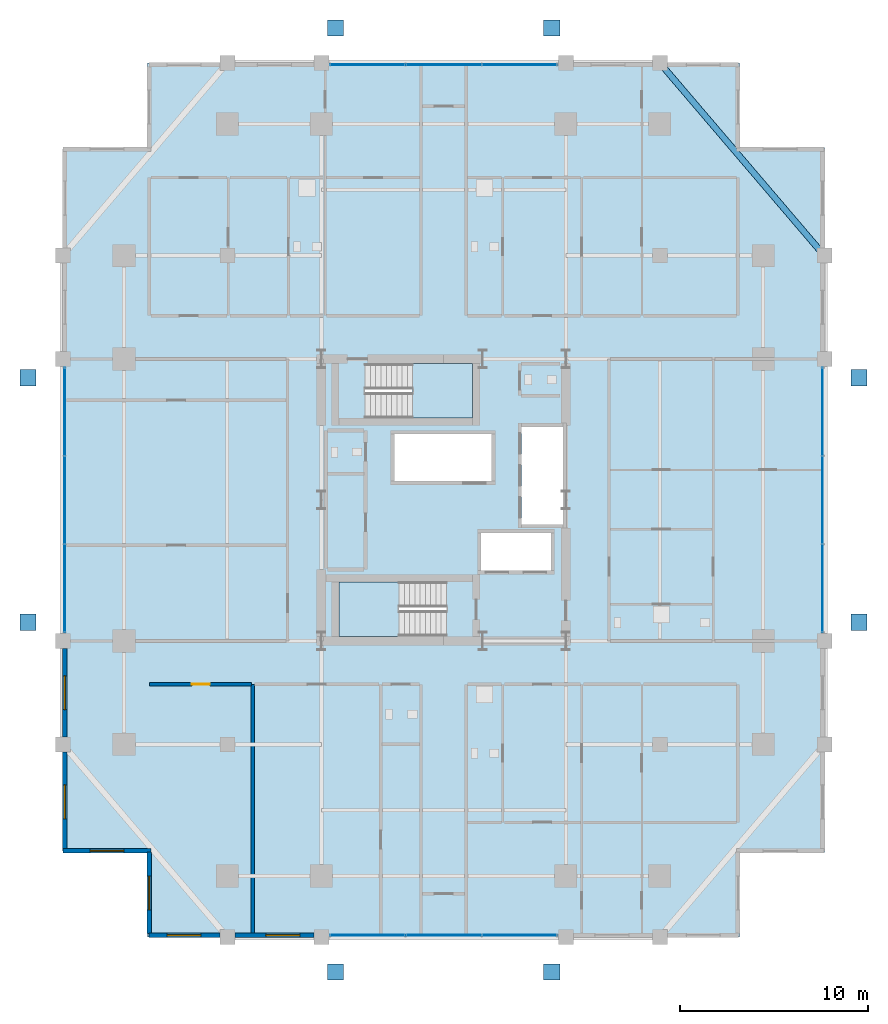
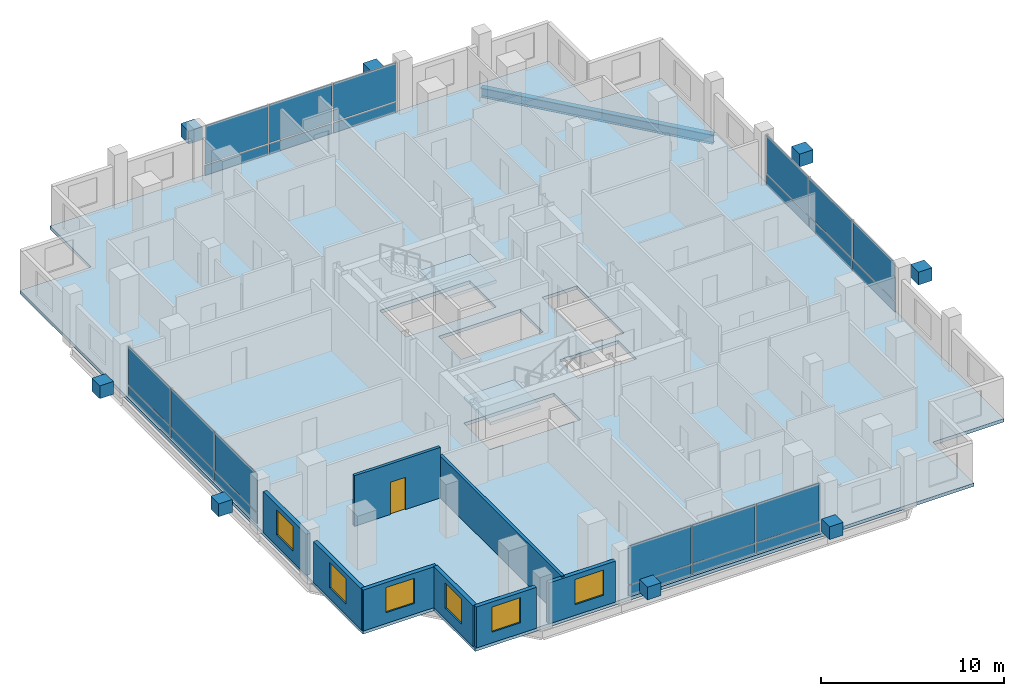
# One storey, part 13 of 20: 32 plates, 8 walls, 6 windows, 3 slabs, 1 beam, 1 door, 7 openings, 6 elements without a shape of their own.
"""IFC4 building model written with IfcOpenShell, lengths in metres."""

from ifc_helpers import new_model, si_unit, direction, frame, frame_2d, origin, origin_2d, place, context, subcontext, project, spatial, polyline, rectangle, i_section, outline, extrude, material, layer, layer_set, material_profile, profile_set, type_object, element, fill, aggregate, save


model = new_model("IFC4")

# Units and contexts
model_context = context("Model", 3, precision=1e-05, world=origin(), true_north=direction((0.0, 1.0)))
body_context = subcontext(model_context, "Body", "Model", "MODEL_VIEW")
ifc_project = project(units=[si_unit("LENGTHUNIT", "METRE"), si_unit("AREAUNIT", "SQUARE_METRE"), si_unit("VOLUMEUNIT", "CUBIC_METRE"), si_unit("PLANEANGLEUNIT", "RADIAN"), si_unit("MASSUNIT", "GRAM", prefix="KILO")], contexts=[model_context])

# Site, building, storey
site_placement = place(None, origin())
site = spatial("IfcSite", under=ifc_project, at=site_placement, CompositionType="ELEMENT")
building_placement = place(site_placement, origin())
building = spatial("IfcBuilding", under=site, at=building_placement, Name="Barlavira Tower and Art Museum", CompositionType="ELEMENT")
storey_placement = place(building_placement, frame((0.0, 0.0, 147.60009765625)))
storey = spatial("IfcBuildingStorey", under=building, at=storey_placement, Name="L37", CompositionType="ELEMENT", Elevation=147.60009765625)

# Beam
ifc_material_1 = material(Name="Steel S355", Category="steel")
ifc_material_profile = material_profile(ifc_material_1, i_section(OverallWidth=0.327880859375, OverallDepth=0.62890625, WebThickness=0.013916015625, FlangeThickness=0.021484375, at=origin_2d()), Name="W610x174.0")
ifc_profile_set = profile_set([ifc_material_profile], Name="Steel S355")
beam_type = type_object("IfcBeamType", Name="Perimeter Spandrel Edge Beam W610x174 Steel S355", PredefinedType="SPANDREL", material=ifc_profile_set)
beam_placement = place(storey_placement, frame((20.25, 13.0, -0.53466796875), z_axis=(-0.649262379928, 0.760564502202, 0.0), x_axis=(-0.760564502202, -0.649262379928, 0.0)))
element("IfcBeam", 1, at=beam_placement, inside=storey, type_object=beam_type, Name="L37 Spandrel 8", PredefinedType="SPANDREL", context=body_context, shape_type="SweptSolid", body=[
    extrude(i_section(OverallWidth=0.327880859375, OverallDepth=0.62890625, WebThickness=0.013916015625, FlangeThickness=0.021484375, at=origin_2d()), origin(), (0.0, 0.0, 1.0), 13.476806640625),
])

# Curtain wall, plates
ifc_material_2 = material(Name="Low-iron coastal laminated glass", Category="glass")
ifc_layer_1 = layer(ifc_material_2, 0.18994140625, Name="Low-iron coastal laminated glass")
ifc_layer_set_1 = layer_set([ifc_layer_1], Name="Low-iron coastal laminated glass")
curtain_wall_type = type_object("IfcCurtainWallType", Name="Pale-Metal Unitised Curtain Wall Zone 2", PredefinedType="NOTDEFINED", material=ifc_layer_set_1)
curtain_wall_1_placement = place(storey_placement, origin())
curtain_wall_1 = element("IfcCurtainWall", 2, at=curtain_wall_1_placement, inside=storey, type_object=curtain_wall_type, Name="L37 Curtain Wall CW2-L37-S-B3", PredefinedType="NOTDEFINED")
ifc_material_3 = material(Name="Pale anodised aluminium", Category="aluminium")
ifc_layer_2 = layer(ifc_material_3, 0.044921875, Name="Pale anodised aluminium")
ifc_layer_set_2 = layer_set([ifc_layer_2], Name="Pale anodised aluminium")
plate_type_1 = type_object("IfcPlateType", Name="Curtain Wall Pale-Metal Spandrel Panel 45", PredefinedType="CURTAIN_PANEL", material=ifc_layer_set_2)
plate_1_placement = place(storey_placement, frame((-4.05322265625, -23.14990234375, 0.039794921875), z_axis=(0.0, 0.0, 1.0), x_axis=(1.0, 0.0, 0.0)))
plate_1 = element("IfcPlate", 3, at=plate_1_placement, type_object=plate_type_1, Name="CW2-L37-S-B3 Spandrel Panel 0", PredefinedType="CURTAIN_PANEL", context=body_context, shape_type="SweptSolid", body=[
    extrude(rectangle(XDim=3.953369140625, YDim=0.044921875, at=origin_2d()), origin(), (0.0, 0.0, 1.0), 0.6640625),
])
plate_2_placement = place(storey_placement, frame((0.0, -23.14990234375, 0.039794921875), z_axis=(0.0, 0.0, 1.0), x_axis=(1.0, 0.0, 0.0)))
plate_2 = element("IfcPlate", 4, at=plate_2_placement, type_object=plate_type_1, Name="CW2-L37-S-B3 Spandrel Panel 1", PredefinedType="CURTAIN_PANEL", context=body_context, shape_type="SweptSolid", body=[
    extrude(rectangle(XDim=3.953369140625, YDim=0.044921875, at=origin_2d()), origin(), (0.0, 0.0, 1.0), 0.6640625),
])
plate_3_placement = place(storey_placement, frame((4.05322265625, -23.14990234375, 0.039794921875), z_axis=(0.0, 0.0, 1.0), x_axis=(1.0, 0.0, 0.0)))
plate_3 = element("IfcPlate", 5, at=plate_3_placement, type_object=plate_type_1, Name="CW2-L37-S-B3 Spandrel Panel 2", PredefinedType="CURTAIN_PANEL", context=body_context, shape_type="SweptSolid", body=[
    extrude(rectangle(XDim=3.953369140625, YDim=0.044921875, at=origin_2d()), origin(), (0.0, 0.0, 1.0), 0.6640625),
])

curtain_wall_2_placement = place(storey_placement, origin())
curtain_wall_2 = element("IfcCurtainWall", 6, at=curtain_wall_2_placement, inside=storey, type_object=curtain_wall_type, Name="L37 Curtain Wall CW2-L37-N-B3", PredefinedType="NOTDEFINED")
plate_4_placement = place(storey_placement, frame((4.05322265625, 23.14990234375, 0.039794921875), z_axis=(0.0, 0.0, 1.0), x_axis=(-1.0, 0.0, 0.0)))
plate_4 = element("IfcPlate", 7, at=plate_4_placement, type_object=plate_type_1, Name="CW2-L37-N-B3 Spandrel Panel 0", PredefinedType="CURTAIN_PANEL", context=body_context, shape_type="SweptSolid", body=[
    extrude(rectangle(XDim=3.953369140625, YDim=0.044921875, at=origin_2d()), origin(), (0.0, 0.0, 1.0), 0.6640625),
])
plate_5_placement = place(storey_placement, frame((0.0, 23.14990234375, 0.039794921875), z_axis=(0.0, 0.0, 1.0), x_axis=(-1.0, 0.0, 0.0)))
plate_5 = element("IfcPlate", 8, at=plate_5_placement, type_object=plate_type_1, Name="CW2-L37-N-B3 Spandrel Panel 1", PredefinedType="CURTAIN_PANEL", context=body_context, shape_type="SweptSolid", body=[
    extrude(rectangle(XDim=3.953369140625, YDim=0.044921875, at=origin_2d()), origin(), (0.0, 0.0, 1.0), 0.6640625),
])
plate_6_placement = place(storey_placement, frame((-4.05322265625, 23.14990234375, 0.039794921875), z_axis=(0.0, 0.0, 1.0), x_axis=(-1.0, 0.0, 0.0)))
plate_6 = element("IfcPlate", 9, at=plate_6_placement, type_object=plate_type_1, Name="CW2-L37-N-B3 Spandrel Panel 2", PredefinedType="CURTAIN_PANEL", context=body_context, shape_type="SweptSolid", body=[
    extrude(rectangle(XDim=3.953369140625, YDim=0.044921875, at=origin_2d()), origin(), (0.0, 0.0, 1.0), 0.6640625),
])

curtain_wall_3_placement = place(storey_placement, origin())
curtain_wall_3 = element("IfcCurtainWall", 10, at=curtain_wall_3_placement, inside=storey, type_object=curtain_wall_type, Name="L37 Curtain Wall CW2-L37-W-B3", PredefinedType="NOTDEFINED")
plate_7_placement = place(storey_placement, frame((-20.14990234375, 4.719970703125, 0.039794921875), z_axis=(0.0, 0.0, 1.0), x_axis=(0.0, -1.0, 0.0)))
plate_7 = element("IfcPlate", 11, at=plate_7_placement, type_object=plate_type_1, Name="CW2-L37-W-B3 Spandrel Panel 0", PredefinedType="CURTAIN_PANEL", context=body_context, shape_type="SweptSolid", body=[
    extrude(rectangle(XDim=4.6201171875, YDim=0.044921875, at=origin_2d()), origin(), (0.0, 0.0, 1.0), 0.6640625),
])
plate_8_placement = place(storey_placement, frame((-20.14990234375, 0.0, 0.039794921875), z_axis=(0.0, 0.0, 1.0), x_axis=(0.0, -1.0, 0.0)))
plate_8 = element("IfcPlate", 12, at=plate_8_placement, type_object=plate_type_1, Name="CW2-L37-W-B3 Spandrel Panel 1", PredefinedType="CURTAIN_PANEL", context=body_context, shape_type="SweptSolid", body=[
    extrude(rectangle(XDim=4.6201171875, YDim=0.044921875, at=origin_2d()), origin(), (0.0, 0.0, 1.0), 0.6640625),
])
plate_9_placement = place(storey_placement, frame((-20.14990234375, -4.719970703125, 0.039794921875), z_axis=(0.0, 0.0, 1.0), x_axis=(0.0, -1.0, 0.0)))
plate_9 = element("IfcPlate", 13, at=plate_9_placement, type_object=plate_type_1, Name="CW2-L37-W-B3 Spandrel Panel 2", PredefinedType="CURTAIN_PANEL", context=body_context, shape_type="SweptSolid", body=[
    extrude(rectangle(XDim=4.6201171875, YDim=0.044921875, at=origin_2d()), origin(), (0.0, 0.0, 1.0), 0.6640625),
])

curtain_wall_4_placement = place(storey_placement, origin())
curtain_wall_4 = element("IfcCurtainWall", 14, at=curtain_wall_4_placement, inside=storey, type_object=curtain_wall_type, Name="L37 Curtain Wall CW2-L37-E-B3", PredefinedType="NOTDEFINED")
plate_10_placement = place(storey_placement, frame((20.14990234375, -4.719970703125, 0.039794921875), z_axis=(0.0, 0.0, 1.0), x_axis=(0.0, 1.0, 0.0)))
plate_10 = element("IfcPlate", 15, at=plate_10_placement, type_object=plate_type_1, Name="CW2-L37-E-B3 Spandrel Panel 0", PredefinedType="CURTAIN_PANEL", context=body_context, shape_type="SweptSolid", body=[
    extrude(rectangle(XDim=4.6201171875, YDim=0.044921875, at=origin_2d()), origin(), (0.0, 0.0, 1.0), 0.6640625),
])
plate_11_placement = place(storey_placement, frame((20.14990234375, 0.0, 0.039794921875), z_axis=(0.0, 0.0, 1.0), x_axis=(0.0, 1.0, 0.0)))
plate_11 = element("IfcPlate", 16, at=plate_11_placement, type_object=plate_type_1, Name="CW2-L37-E-B3 Spandrel Panel 1", PredefinedType="CURTAIN_PANEL", context=body_context, shape_type="SweptSolid", body=[
    extrude(rectangle(XDim=4.6201171875, YDim=0.044921875, at=origin_2d()), origin(), (0.0, 0.0, 1.0), 0.6640625),
])
plate_12_placement = place(storey_placement, frame((20.14990234375, 4.719970703125, 0.039794921875), z_axis=(0.0, 0.0, 1.0), x_axis=(0.0, 1.0, 0.0)))
plate_12 = element("IfcPlate", 17, at=plate_12_placement, type_object=plate_type_1, Name="CW2-L37-E-B3 Spandrel Panel 2", PredefinedType="CURTAIN_PANEL", context=body_context, shape_type="SweptSolid", body=[
    extrude(rectangle(XDim=4.6201171875, YDim=0.044921875, at=origin_2d()), origin(), (0.0, 0.0, 1.0), 0.6640625),
])

# Plate
ifc_layer_3 = layer(ifc_material_2, 0.028076171875, Name="Low-iron coastal laminated glass")
ifc_layer_set_3 = layer_set([ifc_layer_3], Name="Low-iron coastal laminated glass")
plate_type_2 = type_object("IfcPlateType", Name="Curtain Wall Vision Glazing Panel 28", PredefinedType="CURTAIN_PANEL", material=ifc_layer_set_3)
plate_13_placement = place(storey_placement, frame((-4.05322265625, -23.14990234375, 0.7841796875), z_axis=(0.0, 0.0, 1.0), x_axis=(1.0, 0.0, 0.0)))
plate_13 = element("IfcPlate", 18, at=plate_13_placement, type_object=plate_type_2, Name="CW2-L37-S-B3 Vision Glass Panel 0", PredefinedType="CURTAIN_PANEL", context=body_context, shape_type="SweptSolid", body=[
    extrude(rectangle(XDim=3.953369140625, YDim=0.028076171875, at=origin_2d()), origin(), (0.0, 0.0, 1.0), 2.555908203125),
])

plate_14_placement = place(storey_placement, frame((0.0, -23.14990234375, 0.7841796875), z_axis=(0.0, 0.0, 1.0), x_axis=(1.0, 0.0, 0.0)))
plate_14 = element("IfcPlate", 19, at=plate_14_placement, type_object=plate_type_2, Name="CW2-L37-S-B3 Vision Glass Panel 1", PredefinedType="CURTAIN_PANEL", context=body_context, shape_type="SweptSolid", body=[
    extrude(rectangle(XDim=3.953369140625, YDim=0.028076171875, at=origin_2d()), origin(), (0.0, 0.0, 1.0), 2.555908203125),
])

plate_15_placement = place(storey_placement, frame((4.05322265625, -23.14990234375, 0.7841796875), z_axis=(0.0, 0.0, 1.0), x_axis=(1.0, 0.0, 0.0)))
plate_15 = element("IfcPlate", 20, at=plate_15_placement, type_object=plate_type_2, Name="CW2-L37-S-B3 Vision Glass Panel 2", PredefinedType="CURTAIN_PANEL", context=body_context, shape_type="SweptSolid", body=[
    extrude(rectangle(XDim=3.953369140625, YDim=0.028076171875, at=origin_2d()), origin(), (0.0, 0.0, 1.0), 2.555908203125),
])

aggregate(curtain_wall_1, [plate_1, plate_13, plate_2, plate_14, plate_3, plate_15])

plate_16_placement = place(storey_placement, frame((4.05322265625, 23.14990234375, 0.7841796875), z_axis=(0.0, 0.0, 1.0), x_axis=(-1.0, 0.0, 0.0)))
plate_16 = element("IfcPlate", 21, at=plate_16_placement, type_object=plate_type_2, Name="CW2-L37-N-B3 Vision Glass Panel 0", PredefinedType="CURTAIN_PANEL", context=body_context, shape_type="SweptSolid", body=[
    extrude(rectangle(XDim=3.953369140625, YDim=0.028076171875, at=origin_2d()), origin(), (0.0, 0.0, 1.0), 2.555908203125),
])

plate_17_placement = place(storey_placement, frame((0.0, 23.14990234375, 0.7841796875), z_axis=(0.0, 0.0, 1.0), x_axis=(-1.0, 0.0, 0.0)))
plate_17 = element("IfcPlate", 22, at=plate_17_placement, type_object=plate_type_2, Name="CW2-L37-N-B3 Vision Glass Panel 1", PredefinedType="CURTAIN_PANEL", context=body_context, shape_type="SweptSolid", body=[
    extrude(rectangle(XDim=3.953369140625, YDim=0.028076171875, at=origin_2d()), origin(), (0.0, 0.0, 1.0), 2.555908203125),
])

plate_18_placement = place(storey_placement, frame((-4.05322265625, 23.14990234375, 0.7841796875), z_axis=(0.0, 0.0, 1.0), x_axis=(-1.0, 0.0, 0.0)))
plate_18 = element("IfcPlate", 23, at=plate_18_placement, type_object=plate_type_2, Name="CW2-L37-N-B3 Vision Glass Panel 2", PredefinedType="CURTAIN_PANEL", context=body_context, shape_type="SweptSolid", body=[
    extrude(rectangle(XDim=3.953369140625, YDim=0.028076171875, at=origin_2d()), origin(), (0.0, 0.0, 1.0), 2.555908203125),
])

aggregate(curtain_wall_2, [plate_4, plate_16, plate_5, plate_17, plate_6, plate_18])

plate_19_placement = place(storey_placement, frame((-20.14990234375, 4.719970703125, 0.7841796875), z_axis=(0.0, 0.0, 1.0), x_axis=(0.0, -1.0, 0.0)))
plate_19 = element("IfcPlate", 24, at=plate_19_placement, type_object=plate_type_2, Name="CW2-L37-W-B3 Vision Glass Panel 0", PredefinedType="CURTAIN_PANEL", context=body_context, shape_type="SweptSolid", body=[
    extrude(rectangle(XDim=4.6201171875, YDim=0.028076171875, at=origin_2d()), origin(), (0.0, 0.0, 1.0), 2.555908203125),
])

plate_20_placement = place(storey_placement, frame((-20.14990234375, 0.0, 0.7841796875), z_axis=(0.0, 0.0, 1.0), x_axis=(0.0, -1.0, 0.0)))
plate_20 = element("IfcPlate", 25, at=plate_20_placement, type_object=plate_type_2, Name="CW2-L37-W-B3 Vision Glass Panel 1", PredefinedType="CURTAIN_PANEL", context=body_context, shape_type="SweptSolid", body=[
    extrude(rectangle(XDim=4.6201171875, YDim=0.028076171875, at=origin_2d()), origin(), (0.0, 0.0, 1.0), 2.555908203125),
])

plate_21_placement = place(storey_placement, frame((-20.14990234375, -4.719970703125, 0.7841796875), z_axis=(0.0, 0.0, 1.0), x_axis=(0.0, -1.0, 0.0)))
plate_21 = element("IfcPlate", 26, at=plate_21_placement, type_object=plate_type_2, Name="CW2-L37-W-B3 Vision Glass Panel 2", PredefinedType="CURTAIN_PANEL", context=body_context, shape_type="SweptSolid", body=[
    extrude(rectangle(XDim=4.6201171875, YDim=0.028076171875, at=origin_2d()), origin(), (0.0, 0.0, 1.0), 2.555908203125),
])

aggregate(curtain_wall_3, [plate_7, plate_19, plate_8, plate_20, plate_9, plate_21])

plate_22_placement = place(storey_placement, frame((20.14990234375, -4.719970703125, 0.7841796875), z_axis=(0.0, 0.0, 1.0), x_axis=(0.0, 1.0, 0.0)))
plate_22 = element("IfcPlate", 27, at=plate_22_placement, type_object=plate_type_2, Name="CW2-L37-E-B3 Vision Glass Panel 0", PredefinedType="CURTAIN_PANEL", context=body_context, shape_type="SweptSolid", body=[
    extrude(rectangle(XDim=4.6201171875, YDim=0.028076171875, at=origin_2d()), origin(), (0.0, 0.0, 1.0), 2.555908203125),
])

plate_23_placement = place(storey_placement, frame((20.14990234375, 0.0, 0.7841796875), z_axis=(0.0, 0.0, 1.0), x_axis=(0.0, 1.0, 0.0)))
plate_23 = element("IfcPlate", 28, at=plate_23_placement, type_object=plate_type_2, Name="CW2-L37-E-B3 Vision Glass Panel 1", PredefinedType="CURTAIN_PANEL", context=body_context, shape_type="SweptSolid", body=[
    extrude(rectangle(XDim=4.6201171875, YDim=0.028076171875, at=origin_2d()), origin(), (0.0, 0.0, 1.0), 2.555908203125),
])

plate_24_placement = place(storey_placement, frame((20.14990234375, 4.719970703125, 0.7841796875), z_axis=(0.0, 0.0, 1.0), x_axis=(0.0, 1.0, 0.0)))
plate_24 = element("IfcPlate", 29, at=plate_24_placement, type_object=plate_type_2, Name="CW2-L37-E-B3 Vision Glass Panel 2", PredefinedType="CURTAIN_PANEL", context=body_context, shape_type="SweptSolid", body=[
    extrude(rectangle(XDim=4.6201171875, YDim=0.028076171875, at=origin_2d()), origin(), (0.0, 0.0, 1.0), 2.555908203125),
])

aggregate(curtain_wall_4, [plate_10, plate_22, plate_11, plate_23, plate_12, plate_24])

# Plates
ifc_layer_4 = layer(ifc_material_1, 0.860107421875, Name="Steel S355")
ifc_layer_set_4 = layer_set([ifc_layer_4], Name="Steel S355")
plate_type_3 = type_object("IfcPlateType", Name="Exoskeleton Solid Steel Node Cap Plate Assembly Type 2 Steel S355", PredefinedType="USERDEFINED", material=ifc_layer_set_4)
for number, where, z_axis, x_axis, name in (
    (30, (-5.75, -25.10009765625, 1.25), (0.0, 0.0, 1.0), (1.0, 0.0, 0.0), "Exoskeleton Diamond Node S1 ND-L37-0380"),
    (31, (5.75, -25.10009765625, 1.25), (0.0, 0.0, 1.0), (1.0, 0.0, 0.0), "Exoskeleton Diamond Node S2 ND-L37-0381"),
    (32, (-5.75, 25.10009765625, 1.25), (0.0, 0.0, 1.0), (1.0, 0.0, 0.0), "Exoskeleton Diamond Node N1 ND-L37-0388"),
    (33, (5.75, 25.10009765625, 1.25), (0.0, 0.0, 1.0), (1.0, 0.0, 0.0), "Exoskeleton Diamond Node N2 ND-L37-0389"),
    (34, (-22.10009765625, -6.5, 1.25), (0.0, 0.0, 1.0), (1.0, 0.0, 0.0), "Exoskeleton Diamond Node W1 ND-L37-0396"),
    (35, (-22.10009765625, 6.5, 1.25), (0.0, 0.0, 1.0), (1.0, 0.0, 0.0), "Exoskeleton Diamond Node W2 ND-L37-0397"),
    (36, (22.10009765625, -6.5, 1.25), (0.0, 0.0, 1.0), (1.0, 0.0, 0.0), "Exoskeleton Diamond Node E1 ND-L37-0404"),
    (37, (22.10009765625, 6.5, 1.25), (0.0, 0.0, 1.0), (1.0, 0.0, 0.0), "Exoskeleton Diamond Node E2 ND-L37-0405"),
):
    element("IfcPlate", number, at=place(storey_placement, frame(where, z_axis=z_axis, x_axis=x_axis)), inside=storey, type_object=plate_type_3, Name=name, ObjectType="FLANGE_PLATE", PredefinedType="USERDEFINED", context=body_context, shape_type="SweptSolid", body=[
        extrude(rectangle(XDim=0.860107421875, YDim=0.860107421875, at=origin_2d()), origin(), (0.0, 0.0, 1.0), 0.860107421875),
    ])

# Stair, slab
ifc_material_4 = material(Name="Concrete C45", Category="concrete")
stair_type_1 = type_object("IfcStairType", Name="Tower North Dog-Leg Exit Stair Assembly Concrete C45", PredefinedType="TWO_QUARTER_TURN_STAIR", material=ifc_material_4)
stair_1_placement = place(storey_placement, origin())
stair_1 = element("IfcStair", 38, at=stair_1_placement, inside=storey, type_object=stair_type_1, Name="L37 Tower North Exit Stair ST-T2", PredefinedType="TWO_QUARTER_TURN_STAIR")
ifc_layer_5 = layer(ifc_material_4, 0.199951171875, Name="Concrete C45")
ifc_layer_set_5 = layer_set([ifc_layer_5], Name="Concrete C45")
slab_type_1 = type_object("IfcSlabType", Name="Tower North Dog-Leg Exit Stair Half-Landing Slab 200 Concrete C45", PredefinedType="LANDING", material=ifc_layer_set_5)
slab_1_placement = place(storey_placement, frame((0.0, 0.0, 1.599853515625)))
slab_1 = element("IfcSlab", 39, at=slab_1_placement, type_object=slab_type_1, Name="ST-T2 landing 1", PredefinedType="LANDING", context=body_context, shape_type="SweptSolid", body=[
    extrude(outline(polyline([(-1.64990234375, 4.35009765625), (1.530029296875, 4.35009765625), (1.530029296875, 7.25), (-1.64990234375, 7.25), (-1.64990234375, 4.35009765625)])), origin(), (0.0, 0.0, 1.0), 0.199951171875),
])
aggregate(stair_1, [slab_1])

stair_type_2 = type_object("IfcStairType", Name="Tower South Dog-Leg Exit Stair Assembly Concrete C45", PredefinedType="TWO_QUARTER_TURN_STAIR", material=ifc_material_4)
stair_2_placement = place(storey_placement, origin())
stair_2 = element("IfcStair", 40, at=stair_2_placement, inside=storey, type_object=stair_type_2, Name="L37 Tower South Exit Stair ST-T1", PredefinedType="TWO_QUARTER_TURN_STAIR")
ifc_layer_6 = layer(ifc_material_4, 0.199951171875, Name="Concrete C45")
ifc_layer_set_6 = layer_set([ifc_layer_6], Name="Concrete C45")
slab_type_2 = type_object("IfcSlabType", Name="Tower South Dog-Leg Exit Stair Half-Landing Slab 200 Concrete C45", PredefinedType="LANDING", material=ifc_layer_set_6)
slab_2_placement = place(storey_placement, frame((0.0, 0.0, 1.599853515625)))
slab_2 = element("IfcSlab", 41, at=slab_2_placement, type_object=slab_type_2, Name="ST-T1 landing 1", PredefinedType="LANDING", context=body_context, shape_type="SweptSolid", body=[
    extrude(outline(polyline([(-2.3701171875, -4.35009765625), (-5.550048828125, -4.35009765625), (-5.550048828125, -7.25), (-2.3701171875, -7.25), (-2.3701171875, -4.35009765625)])), origin(), (0.0, 0.0, 1.0), 0.199951171875),
])
aggregate(stair_2, [slab_2])

# Slab
ifc_material_5 = material(Name="Concrete C50", Category="concrete")
ifc_layer_7 = layer(ifc_material_5, 0.2099609375, Name="Concrete C50")
ifc_layer_set_7 = layer_set([ifc_layer_7], Name="Concrete C50")
slab_type_3 = type_object("IfcSlabType", Name="Zone 2 Residential Composite Slab 210 Concrete C50", PredefinedType="FLOOR", material=ifc_layer_set_7)
slab_3_placement = place(storey_placement, frame((0.0, 0.0, -0.22021484375)))
element("IfcSlab", 42, at=slab_3_placement, inside=storey, type_object=slab_type_3, Name="L37 Tower Floor Slab", PredefinedType="FLOOR", context=body_context, shape_type="SweptSolid", body=[
    extrude(outline(polyline([(-15.75, -23.25), (15.75, -23.25), (15.75, -18.75), (20.25, -18.75), (20.25, 18.75), (15.75, 18.75), (15.75, 23.25), (-15.75, 23.25), (-15.75, 18.75), (-20.25, 18.75), (-20.25, -18.75), (-15.75, -18.75), (-15.75, -23.25)]), holes=[polyline([(0.14990234375, -4.35009765625), (-5.550048828125, -4.35009765625), (-5.550048828125, -7.25), (0.14990234375, -7.25), (0.14990234375, -4.35009765625)]), polyline([(-4.169921875, 4.35009765625), (1.530029296875, 4.35009765625), (1.530029296875, 7.25), (-4.169921875, 7.25), (-4.169921875, 4.35009765625)]), polyline([(4.14990234375, -1.2900390625), (6.35009765625, -1.2900390625), (6.35009765625, 3.889892578125), (4.14990234375, 3.889892578125), (4.14990234375, -1.2900390625)]), polyline([(-2.6201171875, 1.0), (2.56005859375, 1.0), (2.56005859375, 3.5), (-2.6201171875, 3.5), (-2.6201171875, 1.0)]), polyline([(2.0, -3.75), (5.699951171875, -3.75), (5.699951171875, -1.75), (2.0, -1.75), (2.0, -3.75)])]), origin(), (0.0, 0.0, 1.0), 0.22021484375),
])

# Wall
ifc_material_6 = material(Name="Gypsum acoustic stud partition", Category="gypsum")
ifc_layer_8 = layer(ifc_material_6, 0.179931640625, Name="Gypsum acoustic stud partition")
ifc_layer_set_8 = layer_set([ifc_layer_8], Name="Gypsum acoustic stud partition")
wall_type_1 = type_object("IfcWallType", Name="Inter-Tenancy Party Partition Wall 180", PredefinedType="PARTITIONING", material=ifc_layer_set_8)
wall_1_placement = place(storey_placement, frame((-10.14990234375, -23.14990234375, 0.0), z_axis=(0.0, 0.0, 1.0), x_axis=(0.0, 1.0, 0.0)))
element("IfcWall", 43, at=wall_1_placement, inside=storey, type_object=wall_type_1, Name="L37 Partition Wall 3", PredefinedType="PARTITIONING", context=body_context, shape_type="SweptSolid", body=[
    extrude(rectangle(XDim=13.349853515625, YDim=0.179931640625, at=frame_2d((6.6748046875, 0.0))), origin(), (0.0, 0.0, 1.0), 2.81591796875),
])

# Wall, opening, door
wall_2_placement = place(storey_placement, frame((-15.64990234375, -9.800048828125, 0.0), z_axis=(0.0, 0.0, 1.0), x_axis=(1.0, 0.0, 0.0)))
wall_2 = element("IfcWall", 44, at=wall_2_placement, inside=storey, type_object=wall_type_1, Name="L37 Partition Wall 31", PredefinedType="PARTITIONING", context=body_context, shape_type="SweptSolid", body=[
    extrude(rectangle(XDim=5.419921875, YDim=0.179931640625, at=frame_2d((2.7099609375, 0.0))), origin(), (0.0, 0.0, 1.0), 3.3798828125),
])
opening_1_placement = place(wall_2_placement, frame((2.264892578125, 0.0, 0.0)))
opening_1 = element("IfcOpeningElement", 45, at=opening_1_placement, cuts=wall_2, Name="Opening FD-60", PredefinedType="OPENING", context=body_context, shape_type="SweptSolid", body=[
    extrude(rectangle(XDim=0.949951171875, YDim=2.14990234375, at=frame_2d((0.47509765625, 1.074951171875))), frame((0.0, 0.10009765625, 0.0), z_axis=(0.0, -1.0, 0.0), x_axis=(1.0, 0.0, 0.0)), (0.0, 0.0, 1.0), 0.199951171875),
])
ifc_material_7 = material(Name="Brushed stainless steel", Category="steel")
door_type = type_object("IfcDoorType", Name="Apartment Entrance and Riser Fire Door 950x2150 FD60S", OperationType="NOTDEFINED", PredefinedType="DOOR", material=ifc_material_7)
door_placement = place(opening_1_placement, origin())
door = element("IfcDoor", 46, at=door_placement, inside=storey, type_object=door_type, Name="Resident Ocean-View Fitness Studio Door", OperationType="SINGLE_SWING_RIGHT", OverallHeight=2.14990234375, OverallWidth=0.949951171875, PredefinedType="DOOR", context=body_context, shape_type="SweptSolid", body=[
    extrude(rectangle(XDim=0.949951171875, YDim=2.14990234375, at=frame_2d((0.47509765625, 1.074951171875))), frame((0.0, 0.02490234375, 0.0), z_axis=(0.0, -1.0, 0.0), x_axis=(1.0, 0.0, 0.0)), (0.0, 0.0, 1.0), 0.050048828125),
])
fill(opening_1, door)

# Wall, opening, window
ifc_material_8 = material(Name="Precast concrete C40", Category="concrete")
ifc_layer_9 = layer(ifc_material_8, 0.25, Name="Precast concrete C40")
ifc_layer_set_9 = layer_set([ifc_layer_9], Name="Precast concrete C40")
wall_type_2 = type_object("IfcWallType", Name="Notched Corner Spandrel Wall 250 Precast Concrete C40", PredefinedType="SOLIDWALL", material=ifc_layer_set_9)
wall_3_placement = place(storey_placement, frame((-15.675048828125, -23.14990234375, 0.0), z_axis=(0.0, 0.0, 1.0), x_axis=(1.0, 0.0, 0.0)))
wall_3 = element("IfcWall", 47, at=wall_3_placement, inside=storey, type_object=wall_type_2, Name="L37 Coastal Facade Pier Wall CW2-L37-S-1", PredefinedType="SOLIDWALL", context=body_context, shape_type="SweptSolid", body=[
    extrude(rectangle(XDim=3.780029296875, YDim=0.25, at=frame_2d((1.89013671875, 0.0))), origin(), (0.0, 0.0, 1.0), 2.73583984375),
])
opening_2_placement = place(wall_3_placement, frame((0.968017578125, 0.0, 0.719970703125)))
opening_2 = element("IfcOpeningElement", 48, at=opening_2_placement, cuts=wall_3, Name="Opening WN-01", PredefinedType="OPENING", context=body_context, shape_type="SweptSolid", body=[
    extrude(rectangle(XDim=1.800048828125, YDim=1.679931640625, at=frame_2d((0.89990234375, 0.83984375))), frame((0.0, 0.135009765625, 0.0), z_axis=(0.0, -1.0, 0.0), x_axis=(1.0, 0.0, 0.0)), (0.0, 0.0, 1.0), 0.27001953125),
])
window_type = type_object("IfcWindowType", Name="Recessed Notch Corner Punch Window 1800x1680", PartitioningType="SINGLE_PANEL", PredefinedType="WINDOW", material=ifc_material_2)
window_1_placement = place(opening_2_placement, origin())
window_1 = element("IfcWindow", 49, at=window_1_placement, inside=storey, type_object=window_type, Name="L37 Punched Facade Window EWP-CW2-L37-S-1-1", OverallHeight=1.679931640625, OverallWidth=1.800048828125, PartitioningType="SINGLE_PANEL", PredefinedType="WINDOW", context=body_context, shape_type="SweptSolid", body=[
    extrude(rectangle(XDim=1.800048828125, YDim=1.679931640625, at=frame_2d((0.89990234375, 0.83984375))), frame((0.0, 0.030029296875, 0.0), z_axis=(0.0, -1.0, 0.0), x_axis=(1.0, 0.0, 0.0)), (0.0, 0.0, 1.0), 0.06005859375),
])
fill(opening_2, window_1)

wall_4_placement = place(storey_placement, frame((-11.10498046875, -23.14990234375, 0.0), z_axis=(0.0, 0.0, 1.0), x_axis=(1.0, 0.0, 0.0)))
wall_4 = element("IfcWall", 50, at=wall_4_placement, inside=storey, type_object=wall_type_2, Name="L37 Coastal Facade Pier Wall CW2-L37-S-2", PredefinedType="SOLIDWALL", context=body_context, shape_type="SweptSolid", body=[
    extrude(rectangle(XDim=4.2099609375, YDim=0.25, at=frame_2d((2.10498046875, 0.0))), origin(), (0.0, 0.0, 1.0), 2.73583984375),
])
opening_3_placement = place(wall_4_placement, frame((1.655029296875, 0.0, 0.719970703125)))
opening_3 = element("IfcOpeningElement", 51, at=opening_3_placement, cuts=wall_4, Name="Opening WN-01", PredefinedType="OPENING", context=body_context, shape_type="SweptSolid", body=[
    extrude(rectangle(XDim=1.800048828125, YDim=1.679931640625, at=frame_2d((0.89990234375, 0.83984375))), frame((0.0, 0.135009765625, 0.0), z_axis=(0.0, -1.0, 0.0), x_axis=(1.0, 0.0, 0.0)), (0.0, 0.0, 1.0), 0.27001953125),
])
window_2_placement = place(opening_3_placement, origin())
window_2 = element("IfcWindow", 52, at=window_2_placement, inside=storey, type_object=window_type, Name="L37 Punched Facade Window EWP-CW2-L37-S-2-1", OverallHeight=1.679931640625, OverallWidth=1.800048828125, PartitioningType="SINGLE_PANEL", PredefinedType="WINDOW", context=body_context, shape_type="SweptSolid", body=[
    extrude(rectangle(XDim=1.800048828125, YDim=1.679931640625, at=frame_2d((0.89990234375, 0.83984375))), frame((0.0, 0.030029296875, 0.0), z_axis=(0.0, -1.0, 0.0), x_axis=(1.0, 0.0, 0.0)), (0.0, 0.0, 1.0), 0.06005859375),
])
fill(opening_3, window_2)

wall_5_placement = place(storey_placement, frame((-20.14990234375, -7.89501953125, 0.0), z_axis=(0.0, 0.0, 1.0), x_axis=(0.0, -1.0, 0.0)))
wall_5 = element("IfcWall", 53, at=wall_5_placement, inside=storey, type_object=wall_type_2, Name="L37 Coastal Facade Pier Wall CW2-L37-W-4", PredefinedType="SOLIDWALL", context=body_context, shape_type="SweptSolid", body=[
    extrude(rectangle(XDim=4.7099609375, YDim=0.25, at=frame_2d((2.35498046875, 0.0))), origin(), (0.0, 0.0, 1.0), 2.73583984375),
])
opening_4_placement = place(wall_5_placement, frame((1.455078125, 0.0, 0.719970703125)))
opening_4 = element("IfcOpeningElement", 54, at=opening_4_placement, cuts=wall_5, Name="Opening WN-01", PredefinedType="OPENING", context=body_context, shape_type="SweptSolid", body=[
    extrude(rectangle(XDim=1.800048828125, YDim=1.679931640625, at=frame_2d((0.89990234375, 0.83984375))), frame((0.0, 0.135009765625, 0.0), z_axis=(0.0, -1.0, 0.0), x_axis=(1.0, 0.0, 0.0)), (0.0, 0.0, 1.0), 0.27001953125),
])
window_3_placement = place(opening_4_placement, origin())
window_3 = element("IfcWindow", 55, at=window_3_placement, inside=storey, type_object=window_type, Name="L37 Punched Facade Window EWP-CW2-L37-W-4-1", OverallHeight=1.679931640625, OverallWidth=1.800048828125, PartitioningType="SINGLE_PANEL", PredefinedType="WINDOW", context=body_context, shape_type="SweptSolid", body=[
    extrude(rectangle(XDim=1.800048828125, YDim=1.679931640625, at=frame_2d((0.89990234375, 0.83984375))), frame((0.0, 0.030029296875, 0.0), z_axis=(0.0, -1.0, 0.0), x_axis=(1.0, 0.0, 0.0)), (0.0, 0.0, 1.0), 0.06005859375),
])
fill(opening_4, window_3)

wall_6_placement = place(storey_placement, frame((-20.14990234375, -13.39501953125, 0.0), z_axis=(0.0, 0.0, 1.0), x_axis=(0.0, -1.0, 0.0)))
wall_6 = element("IfcWall", 56, at=wall_6_placement, inside=storey, type_object=wall_type_2, Name="L37 Coastal Facade Pier Wall CW2-L37-W-5", PredefinedType="SOLIDWALL", context=body_context, shape_type="SweptSolid", body=[
    extrude(rectangle(XDim=5.280029296875, YDim=0.25, at=frame_2d((2.64013671875, 0.0))), origin(), (0.0, 0.0, 1.0), 2.73583984375),
])
opening_5_placement = place(wall_6_placement, frame((1.762939453125, 0.0, 0.719970703125)))
opening_5 = element("IfcOpeningElement", 57, at=opening_5_placement, cuts=wall_6, Name="Opening WN-01", PredefinedType="OPENING", context=body_context, shape_type="SweptSolid", body=[
    extrude(rectangle(XDim=1.800048828125, YDim=1.679931640625, at=frame_2d((0.89990234375, 0.83984375))), frame((0.0, 0.135009765625, 0.0), z_axis=(0.0, -1.0, 0.0), x_axis=(1.0, 0.0, 0.0)), (0.0, 0.0, 1.0), 0.27001953125),
])
window_4_placement = place(opening_5_placement, origin())
window_4 = element("IfcWindow", 58, at=window_4_placement, inside=storey, type_object=window_type, Name="L37 Punched Facade Window EWP-CW2-L37-W-5-1", OverallHeight=1.679931640625, OverallWidth=1.800048828125, PartitioningType="SINGLE_PANEL", PredefinedType="WINDOW", context=body_context, shape_type="SweptSolid", body=[
    extrude(rectangle(XDim=1.800048828125, YDim=1.679931640625, at=frame_2d((0.89990234375, 0.83984375))), frame((0.0, 0.030029296875, 0.0), z_axis=(0.0, -1.0, 0.0), x_axis=(1.0, 0.0, 0.0)), (0.0, 0.0, 1.0), 0.06005859375),
])
fill(opening_5, window_4)

wall_7_placement = place(storey_placement, frame((-20.22998046875, -18.64990234375, 0.0), z_axis=(0.0, 0.0, 1.0), x_axis=(1.0, 0.0, 0.0)))
wall_7 = element("IfcWall", 59, at=wall_7_placement, inside=storey, type_object=wall_type_2, Name="L37 Notch Corner Wall SW1", PredefinedType="SOLIDWALL", context=body_context, shape_type="SweptSolid", body=[
    extrude(rectangle(XDim=4.659912109375, YDim=0.25, at=frame_2d((2.330078125, 0.0))), origin(), (0.0, 0.0, 1.0), 2.73583984375),
])
opening_6_placement = place(wall_7_placement, frame((1.429931640625, 0.0, 0.719970703125)))
opening_6 = element("IfcOpeningElement", 60, at=opening_6_placement, cuts=wall_7, Name="Opening WN-01", PredefinedType="OPENING", context=body_context, shape_type="SweptSolid", body=[
    extrude(rectangle(XDim=1.800048828125, YDim=1.679931640625, at=frame_2d((0.89990234375, 0.83984375))), frame((0.0, 0.135009765625, 0.0), z_axis=(0.0, -1.0, 0.0), x_axis=(1.0, 0.0, 0.0)), (0.0, 0.0, 1.0), 0.27001953125),
])
window_5_placement = place(opening_6_placement, origin())
window_5 = element("IfcWindow", 61, at=window_5_placement, inside=storey, type_object=window_type, Name="L37 Punched Facade Window EW-NTC-L37-SW1-1", OverallHeight=1.679931640625, OverallWidth=1.800048828125, PartitioningType="SINGLE_PANEL", PredefinedType="WINDOW", context=body_context, shape_type="SweptSolid", body=[
    extrude(rectangle(XDim=1.800048828125, YDim=1.679931640625, at=frame_2d((0.89990234375, 0.83984375))), frame((0.0, 0.030029296875, 0.0), z_axis=(0.0, -1.0, 0.0), x_axis=(1.0, 0.0, 0.0)), (0.0, 0.0, 1.0), 0.06005859375),
])
fill(opening_6, window_5)

wall_8_placement = place(storey_placement, frame((-15.64990234375, -18.72998046875, 0.0), z_axis=(0.0, 0.0, 1.0), x_axis=(0.0, -1.0, 0.0)))
wall_8 = element("IfcWall", 62, at=wall_8_placement, inside=storey, type_object=wall_type_2, Name="L37 Notch Corner Wall SW2", PredefinedType="SOLIDWALL", context=body_context, shape_type="SweptSolid", body=[
    extrude(rectangle(XDim=4.340087890625, YDim=0.25, at=frame_2d((2.169921875, 0.0))), origin(), (0.0, 0.0, 1.0), 2.73583984375),
])
opening_7_placement = place(wall_8_placement, frame((1.27001953125, 0.0, 0.719970703125)))
opening_7 = element("IfcOpeningElement", 63, at=opening_7_placement, cuts=wall_8, Name="Opening WN-01", PredefinedType="OPENING", context=body_context, shape_type="SweptSolid", body=[
    extrude(rectangle(XDim=1.800048828125, YDim=1.679931640625, at=frame_2d((0.89990234375, 0.83984375))), frame((0.0, 0.135009765625, 0.0), z_axis=(0.0, -1.0, 0.0), x_axis=(1.0, 0.0, 0.0)), (0.0, 0.0, 1.0), 0.27001953125),
])
window_6_placement = place(opening_7_placement, origin())
window_6 = element("IfcWindow", 64, at=window_6_placement, inside=storey, type_object=window_type, Name="L37 Punched Facade Window EW-NTC-L37-SW2-1", OverallHeight=1.679931640625, OverallWidth=1.800048828125, PartitioningType="SINGLE_PANEL", PredefinedType="WINDOW", context=body_context, shape_type="SweptSolid", body=[
    extrude(rectangle(XDim=1.800048828125, YDim=1.679931640625, at=frame_2d((0.89990234375, 0.83984375))), frame((0.0, 0.030029296875, 0.0), z_axis=(0.0, -1.0, 0.0), x_axis=(1.0, 0.0, 0.0)), (0.0, 0.0, 1.0), 0.06005859375),
])
fill(opening_7, window_6)

save(model, "model.ifc")
